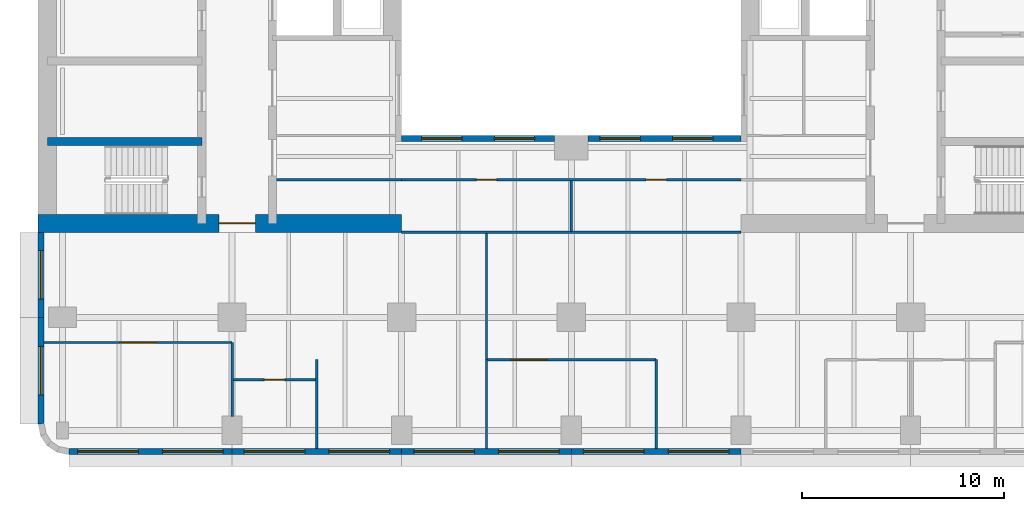
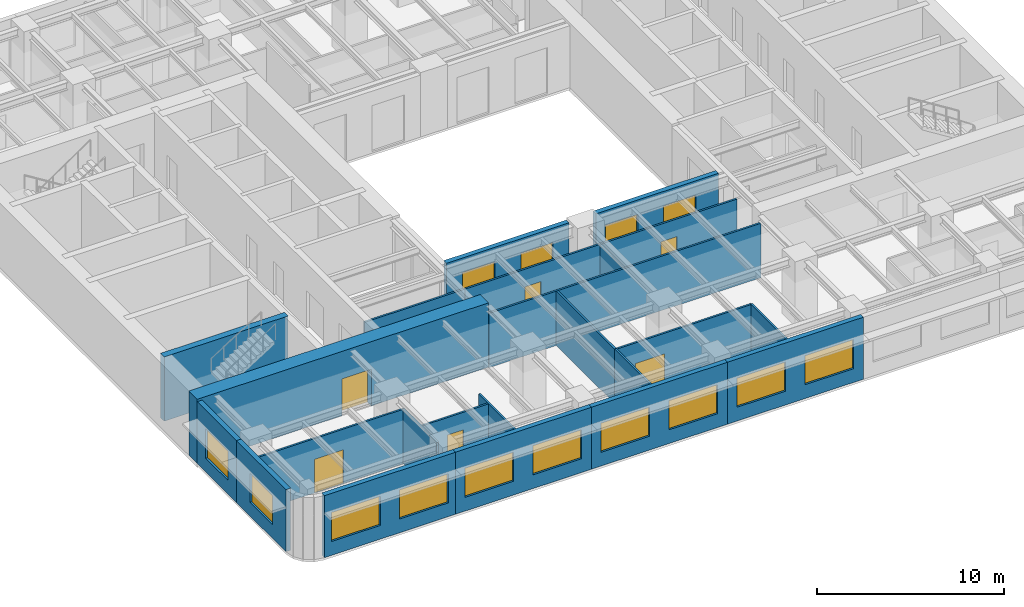
# One storey, part 3 of 11: 22 walls, 14 windows, 6 doors, 20 openings.
"""IFC4 building model written with IfcOpenShell, lengths in metres."""

from ifc_helpers import new_model, si_unit, direction, frame, frame_2d, origin, place, context, subcontext, project, spatial, rectangle, extrude, material, layer, layer_set, type_object, element, fill, save


model = new_model("IFC4")

# Units and contexts
model_context = context("Model", 3, precision=1e-05, world=origin(), true_north=direction((0.0, 1.0)))
body_context = subcontext(model_context, "Body", "Model", "MODEL_VIEW")
ifc_project = project(units=[si_unit("LENGTHUNIT", "METRE"), si_unit("AREAUNIT", "SQUARE_METRE"), si_unit("VOLUMEUNIT", "CUBIC_METRE"), si_unit("PLANEANGLEUNIT", "RADIAN"), si_unit("MASSUNIT", "GRAM", prefix="KILO")], contexts=[model_context])

# Site, building, storey
site_placement = place(None, origin())
site = spatial("IfcSite", under=ifc_project, at=site_placement, CompositionType="ELEMENT")
building_placement = place(site_placement, origin())
building = spatial("IfcBuilding", under=site, at=building_placement, Name="Claustro Exchange Tower", CompositionType="ELEMENT")
storey_placement = place(building_placement, frame((0.0, 0.0, 151.199951171875)))
storey = spatial("IfcBuildingStorey", under=building, at=storey_placement, Name="L34", CompositionType="ELEMENT", Elevation=151.199951171875)

# Wall, opening, door
ifc_material_1 = material(Name="Laminated glass in aluminium frame", Category="aluminium")
ifc_layer_1 = layer(ifc_material_1, 0.1201171875)
ifc_layer_set_1 = layer_set([ifc_layer_1], Name="Laminated glass in aluminium frame")
wall_type_1 = type_object("IfcWallType", Name="P2 120 glazed partition", PredefinedType="PARTITIONING", material=ifc_layer_set_1)
wall_1_placement = place(storey_placement, frame((-0.902099609375, 7.14990234375, 0.0), z_axis=(0.0, 0.0, 1.0), x_axis=(1.0, 0.0, 0.0)))
wall_1 = element("IfcWall", 1, at=wall_1_placement, inside=storey, type_object=wall_type_1, Name="Partition P2 L34", PredefinedType="PARTITIONING", context=body_context, shape_type="SweptSolid", body=[
    extrude(rectangle(XDim=9.302001953125, YDim=0.1201171875, at=frame_2d((4.65087890625, 0.0))), origin(), (0.0, 0.0, 1.0), 3.550048828125),
])
opening_1_placement = place(wall_1_placement, frame((3.751953125, 0.0, 0.0)))
opening_1 = element("IfcOpeningElement", 2, at=opening_1_placement, cuts=wall_1, Name="Opening D2", PredefinedType="OPENING", context=body_context, shape_type="SweptSolid", body=[
    extrude(rectangle(XDim=1.800048828125, YDim=2.199951171875, at=frame_2d((0.89990234375, 1.10009765625))), frame((0.0, 0.070068359375, 0.0), z_axis=(0.0, -1.0, 0.0), x_axis=(1.0, 0.0, 0.0)), (0.0, 0.0, 1.0), 0.14013671875),
])
ifc_material_2 = material(Name="Timber door, oak veneer", Category="wood")
door_type_1 = type_object("IfcDoorType", Name="D2 1800 x 2200 double door", OperationType="DOUBLE_DOOR_SINGLE_SWING", PredefinedType="DOOR", material=ifc_material_2)
door_1_placement = place(opening_1_placement, frame((1.800048828125, 0.0, 0.0), z_axis=(0.0, 0.0, 1.0), x_axis=(-1.0, 0.0, 0.0)))
door_1 = element("IfcDoor", 3, at=door_1_placement, inside=storey, type_object=door_type_1, Name="Double door D2 L34", OperationType="DOUBLE_DOOR_SINGLE_SWING", OverallHeight=2.199951171875, OverallWidth=1.800048828125, PredefinedType="DOOR", context=body_context, shape_type="SweptSolid", body=[
    extrude(rectangle(XDim=1.800048828125, YDim=2.199951171875, at=frame_2d((0.89990234375, 1.10009765625))), frame((0.0, 0.02490234375, 0.0), z_axis=(0.0, -1.0, 0.0), x_axis=(1.0, 0.0, 0.0)), (0.0, 0.0, 1.0), 0.050048828125),
])
fill(opening_1, door_1)

wall_2_placement = place(storey_placement, frame((8.4580078125, 5.300048828125, 0.0), z_axis=(0.0, 0.0, 1.0), x_axis=(1.0, 0.0, 0.0)))
wall_2 = element("IfcWall", 4, at=wall_2_placement, inside=storey, type_object=wall_type_1, Name="Partition P2 L34", PredefinedType="PARTITIONING", context=body_context, shape_type="SweptSolid", body=[
    extrude(rectangle(XDim=4.083984375, YDim=0.1201171875, at=frame_2d((2.0419921875, 0.0))), origin(), (0.0, 0.0, 1.0), 3.550048828125),
])
opening_2_placement = place(wall_2_placement, frame((1.5419921875, 0.0, 0.0)))
opening_2 = element("IfcOpeningElement", 5, at=opening_2_placement, cuts=wall_2, Name="Opening D7", PredefinedType="OPENING", context=body_context, shape_type="SweptSolid", body=[
    extrude(rectangle(XDim=1.0, YDim=2.39990234375, at=frame_2d((0.5, 1.199951171875))), frame((0.0, 0.070068359375, 0.0), z_axis=(0.0, -1.0, 0.0), x_axis=(1.0, 0.0, 0.0)), (0.0, 0.0, 1.0), 0.14013671875),
])
ifc_material_3 = material(Name="Glass door in aluminium frame", Category="aluminium")
door_type_2 = type_object("IfcDoorType", Name="D7 1000 x 2400 glazed door", OperationType="SINGLE_SWING_LEFT", PredefinedType="DOOR", material=ifc_material_3)
door_2_placement = place(opening_2_placement, frame((1.0, 0.0, 0.0), z_axis=(0.0, 0.0, 1.0), x_axis=(-1.0, 0.0, 0.0)))
door_2 = element("IfcDoor", 6, at=door_2_placement, inside=storey, type_object=door_type_2, Name="Door D7 L34", OperationType="SINGLE_SWING_LEFT", OverallHeight=2.39990234375, OverallWidth=1.0, PredefinedType="DOOR", context=body_context, shape_type="SweptSolid", body=[
    extrude(rectangle(XDim=1.0, YDim=2.39990234375, at=frame_2d((0.5, 1.199951171875))), frame((0.0, 0.02490234375, 0.0), z_axis=(0.0, -1.0, 0.0), x_axis=(1.0, 0.0, 0.0)), (0.0, 0.0, 1.0), 0.050048828125),
])
fill(opening_2, door_2)

# Walls
wall_3_placement = place(storey_placement, frame((8.39990234375, 3.4990234375, 0.0), z_axis=(0.0, 0.0, 1.0), x_axis=(0.0, 1.0, 0.0)))
element("IfcWall", 7, at=wall_3_placement, inside=storey, type_object=wall_type_1, Name="Partition P2 L34", PredefinedType="PARTITIONING", context=body_context, shape_type="SweptSolid", body=[
    extrude(rectangle(XDim=3.65087890625, YDim=0.1201171875, at=frame_2d((1.825439453125, 0.0))), origin(), (0.0, 0.0, 1.0), 3.550048828125),
])
wall_4_placement = place(storey_placement, frame((12.60009765625, 1.89794921875, 0.0), z_axis=(0.0, 0.0, 1.0), x_axis=(0.0, 1.0, 0.0)))
element("IfcWall", 8, at=wall_4_placement, inside=storey, type_object=wall_type_1, Name="Partition P2 L34", PredefinedType="PARTITIONING", context=body_context, shape_type="SweptSolid", body=[
    extrude(rectangle(XDim=4.402099609375, YDim=0.1201171875, at=frame_2d((2.201171875, 0.0))), origin(), (0.0, 0.0, 1.0), 3.56005859375),
])

# Wall, opening, door
wall_5_placement = place(storey_placement, frame((21.05810546875, 6.300048828125, 0.0), z_axis=(0.0, 0.0, 1.0), x_axis=(1.0, 0.0, 0.0)))
wall_5 = element("IfcWall", 9, at=wall_5_placement, inside=storey, type_object=wall_type_1, Name="Partition P2 L34", PredefinedType="PARTITIONING", context=body_context, shape_type="SweptSolid", body=[
    extrude(rectangle(XDim=8.341796875, YDim=0.1201171875, at=frame_2d((4.1708984375, 0.0))), origin(), (0.0, 0.0, 1.0), 3.550048828125),
])
opening_3_placement = place(wall_5_placement, frame((1.14208984375, 0.0, 0.0)))
opening_3 = element("IfcOpeningElement", 10, at=opening_3_placement, cuts=wall_5, Name="Opening D2", PredefinedType="OPENING", context=body_context, shape_type="SweptSolid", body=[
    extrude(rectangle(XDim=1.800048828125, YDim=2.199951171875, at=frame_2d((0.89990234375, 1.10009765625))), frame((0.0, 0.070068359375, 0.0), z_axis=(0.0, -1.0, 0.0), x_axis=(1.0, 0.0, 0.0)), (0.0, 0.0, 1.0), 0.14013671875),
])
door_3_placement = place(opening_3_placement, frame((1.800048828125, 0.0, 0.0), z_axis=(0.0, 0.0, 1.0), x_axis=(-1.0, 0.0, 0.0)))
door_3 = element("IfcDoor", 11, at=door_3_placement, inside=storey, type_object=door_type_1, Name="Double door D2 L34", OperationType="DOUBLE_DOOR_SINGLE_SWING", OverallHeight=2.199951171875, OverallWidth=1.800048828125, PredefinedType="DOOR", context=body_context, shape_type="SweptSolid", body=[
    extrude(rectangle(XDim=1.800048828125, YDim=2.199951171875, at=frame_2d((0.89990234375, 1.10009765625))), frame((0.0, 0.02490234375, 0.0), z_axis=(0.0, -1.0, 0.0), x_axis=(1.0, 0.0, 0.0)), (0.0, 0.0, 1.0), 0.050048828125),
])
fill(opening_3, door_3)

# Walls
wall_6_placement = place(storey_placement, frame((21.0, 1.89794921875, 0.0), z_axis=(0.0, 0.0, 1.0), x_axis=(0.0, 1.0, 0.0)))
element("IfcWall", 12, at=wall_6_placement, inside=storey, type_object=wall_type_1, Name="Partition P2 L34", PredefinedType="PARTITIONING", context=body_context, shape_type="SweptSolid", body=[
    extrude(rectangle(XDim=4.404052734375, YDim=0.1201171875, at=frame_2d((2.2021484375, 0.0))), origin(), (0.0, 0.0, 1.0), 3.56005859375),
])
wall_7_placement = place(storey_placement, frame((29.39990234375, 1.89794921875, 0.0), z_axis=(0.0, 0.0, 1.0), x_axis=(0.0, 1.0, 0.0)))
element("IfcWall", 13, at=wall_7_placement, inside=storey, type_object=wall_type_1, Name="Partition P2 L34", PredefinedType="PARTITIONING", context=body_context, shape_type="SweptSolid", body=[
    extrude(rectangle(XDim=4.402099609375, YDim=0.1201171875, at=frame_2d((2.201171875, 0.0))), origin(), (0.0, 0.0, 1.0), 3.56005859375),
])
wall_8_placement = place(storey_placement, frame((21.0, 6.298095703125, 0.0), z_axis=(0.0, 0.0, 1.0), x_axis=(0.0, 1.0, 0.0)))
element("IfcWall", 14, at=wall_8_placement, inside=storey, type_object=wall_type_1, Name="Partition P2 L34", PredefinedType="PARTITIONING", context=body_context, shape_type="SweptSolid", body=[
    extrude(rectangle(XDim=6.243896484375, YDim=0.1201171875, at=frame_2d((3.1220703125, 0.0))), origin(), (0.0, 0.0, 1.0), 3.550048828125),
])
wall_9_placement = place(storey_placement, frame((10.597900390625, 15.199951171875, 0.0), z_axis=(0.0, 0.0, 1.0), x_axis=(1.0, 0.0, 0.0)))
element("IfcWall", 15, at=wall_9_placement, inside=storey, type_object=wall_type_1, Name="Partition P2 L34", PredefinedType="PARTITIONING", context=body_context, shape_type="SweptSolid", body=[
    extrude(rectangle(XDim=6.2041015625, YDim=0.1201171875, at=frame_2d((3.10205078125, 0.0))), origin(), (0.0, 0.0, 1.0), 3.550048828125),
])
wall_10_placement = place(storey_placement, frame((25.199951171875, 12.657958984375, 0.0), z_axis=(0.0, 0.0, 1.0), x_axis=(0.0, 1.0, 0.0)))
element("IfcWall", 16, at=wall_10_placement, inside=storey, type_object=wall_type_1, Name="Partition P2 L34", PredefinedType="PARTITIONING", context=body_context, shape_type="SweptSolid", body=[
    extrude(rectangle(XDim=2.484130859375, YDim=0.1201171875, at=frame_2d((1.2421875, 0.0))), origin(), (0.0, 0.0, 1.0), 3.550048828125),
])

# Wall, openings, doors
wall_11_placement = place(storey_placement, frame((16.798095703125, 15.199951171875, 0.0), z_axis=(0.0, 0.0, 1.0), x_axis=(1.0, 0.0, 0.0)))
wall_11 = element("IfcWall", 17, at=wall_11_placement, inside=storey, type_object=wall_type_1, Name="Partition P2 L34", PredefinedType="PARTITIONING", context=body_context, shape_type="SweptSolid", body=[
    extrude(rectangle(XDim=16.803955078125, YDim=0.1201171875, at=frame_2d((8.40185546875, 0.0))), origin(), (0.0, 0.0, 1.0), 3.550048828125),
])
opening_4_placement = place(wall_11_placement, frame((3.701904296875, 0.0, 0.0)))
opening_4 = element("IfcOpeningElement", 18, at=opening_4_placement, cuts=wall_11, Name="Opening D7", PredefinedType="OPENING", context=body_context, shape_type="SweptSolid", body=[
    extrude(rectangle(XDim=1.0, YDim=2.39990234375, at=frame_2d((0.5, 1.199951171875))), frame((0.0, 0.070068359375, 0.0), z_axis=(0.0, -1.0, 0.0), x_axis=(1.0, 0.0, 0.0)), (0.0, 0.0, 1.0), 0.14013671875),
])
opening_5_placement = place(wall_11_placement, frame((12.10205078125, 0.0, 0.0)))
opening_5 = element("IfcOpeningElement", 19, at=opening_5_placement, cuts=wall_11, Name="Opening D7", PredefinedType="OPENING", context=body_context, shape_type="SweptSolid", body=[
    extrude(rectangle(XDim=1.0, YDim=2.39990234375, at=frame_2d((0.5, 1.199951171875))), frame((0.0, 0.070068359375, 0.0), z_axis=(0.0, -1.0, 0.0), x_axis=(1.0, 0.0, 0.0)), (0.0, 0.0, 1.0), 0.14013671875),
])
door_4_placement = place(opening_4_placement, frame((1.0, 0.0, 0.0), z_axis=(0.0, 0.0, 1.0), x_axis=(-1.0, 0.0, 0.0)))
door_4 = element("IfcDoor", 20, at=door_4_placement, inside=storey, type_object=door_type_2, Name="Door D7 L34", OperationType="SINGLE_SWING_RIGHT", OverallHeight=2.39990234375, OverallWidth=1.0, PredefinedType="DOOR", context=body_context, shape_type="SweptSolid", body=[
    extrude(rectangle(XDim=1.0, YDim=2.39990234375, at=frame_2d((0.5, 1.199951171875))), frame((0.0, 0.02490234375, 0.0), z_axis=(0.0, -1.0, 0.0), x_axis=(1.0, 0.0, 0.0)), (0.0, 0.0, 1.0), 0.050048828125),
])
fill(opening_4, door_4)
door_5_placement = place(opening_5_placement, frame((1.0, 0.0, 0.0), z_axis=(0.0, 0.0, 1.0), x_axis=(-1.0, 0.0, 0.0)))
door_5 = element("IfcDoor", 21, at=door_5_placement, inside=storey, type_object=door_type_2, Name="Door D7 L34", OperationType="SINGLE_SWING_RIGHT", OverallHeight=2.39990234375, OverallWidth=1.0, PredefinedType="DOOR", context=body_context, shape_type="SweptSolid", body=[
    extrude(rectangle(XDim=1.0, YDim=2.39990234375, at=frame_2d((0.5, 1.199951171875))), frame((0.0, 0.02490234375, 0.0), z_axis=(0.0, -1.0, 0.0), x_axis=(1.0, 0.0, 0.0)), (0.0, 0.0, 1.0), 0.050048828125),
])
fill(opening_5, door_5)

# Wall
wall_12_placement = place(storey_placement, frame((16.800048828125, 12.60009765625, 0.0), z_axis=(0.0, 0.0, 1.0), x_axis=(1.0, 0.0, 0.0)))
element("IfcWall", 22, at=wall_12_placement, inside=storey, type_object=wall_type_1, Name="Partition P2 L34", PredefinedType="PARTITIONING", context=body_context, shape_type="SweptSolid", body=[
    extrude(rectangle(XDim=16.800048828125, YDim=0.1201171875, at=frame_2d((8.39990234375, 0.0))), origin(), (0.0, 0.0, 1.0), 3.550048828125),
])

# Wall, openings, windows
ifc_material_4 = material(Name="Concrete HA-40 (C40/50), precast, white cement, acid-etched", Category="concrete")
ifc_layer_2 = layer(ifc_material_4, 0.300048828125)
ifc_layer_set_2 = layer_set([ifc_layer_2], Name="Concrete HA-40 (C40/50), precast, white cement, acid-etched")
wall_type_2 = type_object("IfcWallType", Name="PC1 300 precast concrete pier panel", PredefinedType="SOLIDWALL", material=ifc_layer_set_2)
wall_13_placement = place(storey_placement, frame((33.60009765625, 1.75, 0.0), z_axis=(0.0, 0.0, 1.0), x_axis=(-1.0, 0.0, 0.0)))
wall_13 = element("IfcWall", 23, at=wall_13_placement, inside=storey, type_object=wall_type_2, Name="Precast pier panel PC1 L34", PredefinedType="SOLIDWALL", context=body_context, shape_type="SweptSolid", body=[
    extrude(rectangle(XDim=8.400146484375, YDim=0.300048828125, at=frame_2d((4.2001953125, 0.0))), origin(), (0.0, 0.0, 1.0), 4.050048828125),
])
opening_6_placement = place(wall_13_placement, frame((0.60009765625, 0.0, 0.89990234375)))
opening_6 = element("IfcOpeningElement", 24, at=opening_6_placement, cuts=wall_13, Name="Opening W1", PredefinedType="OPENING", context=body_context, shape_type="SweptSolid", body=[
    extrude(rectangle(XDim=3.0, YDim=1.89990234375, at=frame_2d((1.5, 0.949951171875))), frame((0.0, 0.159912109375, 0.0), z_axis=(0.0, -1.0, 0.0), x_axis=(1.0, 0.0, 0.0)), (0.0, 0.0, 1.0), 0.320068359375),
])
opening_7_placement = place(wall_13_placement, frame((4.800048828125, 0.0, 0.89990234375)))
opening_7 = element("IfcOpeningElement", 25, at=opening_7_placement, cuts=wall_13, Name="Opening W1", PredefinedType="OPENING", context=body_context, shape_type="SweptSolid", body=[
    extrude(rectangle(XDim=3.0, YDim=1.89990234375, at=frame_2d((1.5, 0.949951171875))), frame((0.0, 0.159912109375, 0.0), z_axis=(0.0, -1.0, 0.0), x_axis=(1.0, 0.0, 0.0)), (0.0, 0.0, 1.0), 0.320068359375),
])
ifc_material_5 = material(Name="Aluminium frame, clear double glazing", Category="aluminium")
window_type_1 = type_object("IfcWindowType", Name="W1 3000 x 1900 window", PartitioningType="SINGLE_PANEL", PredefinedType="WINDOW", material=ifc_material_5)
window_1_placement = place(opening_6_placement, origin())
window_1 = element("IfcWindow", 26, at=window_1_placement, inside=storey, type_object=window_type_1, Name="Window W1 L34", OverallHeight=1.89990234375, OverallWidth=3.0, PartitioningType="SINGLE_PANEL", PredefinedType="WINDOW", context=body_context, shape_type="SweptSolid", body=[
    extrude(rectangle(XDim=3.0, YDim=1.89990234375, at=frame_2d((1.5, 0.949951171875))), frame((0.0, 0.030029296875, 0.0), z_axis=(0.0, -1.0, 0.0), x_axis=(1.0, 0.0, 0.0)), (0.0, 0.0, 1.0), 0.06005859375),
])
fill(opening_6, window_1)
window_2_placement = place(opening_7_placement, origin())
window_2 = element("IfcWindow", 27, at=window_2_placement, inside=storey, type_object=window_type_1, Name="Window W1 L34", OverallHeight=1.89990234375, OverallWidth=3.0, PartitioningType="SINGLE_PANEL", PredefinedType="WINDOW", context=body_context, shape_type="SweptSolid", body=[
    extrude(rectangle(XDim=3.0, YDim=1.89990234375, at=frame_2d((1.5, 0.949951171875))), frame((0.0, 0.030029296875, 0.0), z_axis=(0.0, -1.0, 0.0), x_axis=(1.0, 0.0, 0.0)), (0.0, 0.0, 1.0), 0.06005859375),
])
fill(opening_7, window_2)

wall_14_placement = place(storey_placement, frame((25.199951171875, 1.75, 0.0), z_axis=(0.0, 0.0, 1.0), x_axis=(-1.0, 0.0, 0.0)))
wall_14 = element("IfcWall", 28, at=wall_14_placement, inside=storey, type_object=wall_type_2, Name="Precast pier panel PC1 L34", PredefinedType="SOLIDWALL", context=body_context, shape_type="SweptSolid", body=[
    extrude(rectangle(XDim=8.39990234375, YDim=0.300048828125, at=frame_2d((4.199951171875, 0.0))), origin(), (0.0, 0.0, 1.0), 4.050048828125),
])
opening_8_placement = place(wall_14_placement, frame((0.60009765625, 0.0, 0.89990234375)))
opening_8 = element("IfcOpeningElement", 29, at=opening_8_placement, cuts=wall_14, Name="Opening W1", PredefinedType="OPENING", context=body_context, shape_type="SweptSolid", body=[
    extrude(rectangle(XDim=3.0, YDim=1.89990234375, at=frame_2d((1.5, 0.949951171875))), frame((0.0, 0.159912109375, 0.0), z_axis=(0.0, -1.0, 0.0), x_axis=(1.0, 0.0, 0.0)), (0.0, 0.0, 1.0), 0.320068359375),
])
opening_9_placement = place(wall_14_placement, frame((4.800048828125, 0.0, 0.89990234375)))
opening_9 = element("IfcOpeningElement", 30, at=opening_9_placement, cuts=wall_14, Name="Opening W1", PredefinedType="OPENING", context=body_context, shape_type="SweptSolid", body=[
    extrude(rectangle(XDim=3.0, YDim=1.89990234375, at=frame_2d((1.5, 0.949951171875))), frame((0.0, 0.159912109375, 0.0), z_axis=(0.0, -1.0, 0.0), x_axis=(1.0, 0.0, 0.0)), (0.0, 0.0, 1.0), 0.320068359375),
])
window_3_placement = place(opening_8_placement, origin())
window_3 = element("IfcWindow", 31, at=window_3_placement, inside=storey, type_object=window_type_1, Name="Window W1 L34", OverallHeight=1.89990234375, OverallWidth=3.0, PartitioningType="SINGLE_PANEL", PredefinedType="WINDOW", context=body_context, shape_type="SweptSolid", body=[
    extrude(rectangle(XDim=3.0, YDim=1.89990234375, at=frame_2d((1.5, 0.949951171875))), frame((0.0, 0.030029296875, 0.0), z_axis=(0.0, -1.0, 0.0), x_axis=(1.0, 0.0, 0.0)), (0.0, 0.0, 1.0), 0.06005859375),
])
fill(opening_8, window_3)
window_4_placement = place(opening_9_placement, origin())
window_4 = element("IfcWindow", 32, at=window_4_placement, inside=storey, type_object=window_type_1, Name="Window W1 L34", OverallHeight=1.89990234375, OverallWidth=3.0, PartitioningType="SINGLE_PANEL", PredefinedType="WINDOW", context=body_context, shape_type="SweptSolid", body=[
    extrude(rectangle(XDim=3.0, YDim=1.89990234375, at=frame_2d((1.5, 0.949951171875))), frame((0.0, 0.030029296875, 0.0), z_axis=(0.0, -1.0, 0.0), x_axis=(1.0, 0.0, 0.0)), (0.0, 0.0, 1.0), 0.06005859375),
])
fill(opening_9, window_4)

wall_15_placement = place(storey_placement, frame((16.800048828125, 1.75, 0.0), z_axis=(0.0, 0.0, 1.0), x_axis=(-1.0, 0.0, 0.0)))
wall_15 = element("IfcWall", 33, at=wall_15_placement, inside=storey, type_object=wall_type_2, Name="Precast pier panel PC1 L34", PredefinedType="SOLIDWALL", context=body_context, shape_type="SweptSolid", body=[
    extrude(rectangle(XDim=8.400146484375, YDim=0.300048828125, at=frame_2d((4.2001953125, 0.0))), origin(), (0.0, 0.0, 1.0), 4.050048828125),
])
opening_10_placement = place(wall_15_placement, frame((0.60009765625, 0.0, 0.89990234375)))
opening_10 = element("IfcOpeningElement", 34, at=opening_10_placement, cuts=wall_15, Name="Opening W1", PredefinedType="OPENING", context=body_context, shape_type="SweptSolid", body=[
    extrude(rectangle(XDim=3.0, YDim=1.89990234375, at=frame_2d((1.5, 0.949951171875))), frame((0.0, 0.159912109375, 0.0), z_axis=(0.0, -1.0, 0.0), x_axis=(1.0, 0.0, 0.0)), (0.0, 0.0, 1.0), 0.320068359375),
])
opening_11_placement = place(wall_15_placement, frame((4.800048828125, 0.0, 0.89990234375)))
opening_11 = element("IfcOpeningElement", 35, at=opening_11_placement, cuts=wall_15, Name="Opening W1", PredefinedType="OPENING", context=body_context, shape_type="SweptSolid", body=[
    extrude(rectangle(XDim=3.0, YDim=1.89990234375, at=frame_2d((1.5, 0.949951171875))), frame((0.0, 0.159912109375, 0.0), z_axis=(0.0, -1.0, 0.0), x_axis=(1.0, 0.0, 0.0)), (0.0, 0.0, 1.0), 0.320068359375),
])
window_5_placement = place(opening_10_placement, origin())
window_5 = element("IfcWindow", 36, at=window_5_placement, inside=storey, type_object=window_type_1, Name="Window W1 L34", OverallHeight=1.89990234375, OverallWidth=3.0, PartitioningType="SINGLE_PANEL", PredefinedType="WINDOW", context=body_context, shape_type="SweptSolid", body=[
    extrude(rectangle(XDim=3.0, YDim=1.89990234375, at=frame_2d((1.5, 0.949951171875))), frame((0.0, 0.030029296875, 0.0), z_axis=(0.0, -1.0, 0.0), x_axis=(1.0, 0.0, 0.0)), (0.0, 0.0, 1.0), 0.06005859375),
])
fill(opening_10, window_5)
window_6_placement = place(opening_11_placement, origin())
window_6 = element("IfcWindow", 37, at=window_6_placement, inside=storey, type_object=window_type_1, Name="Window W1 L34", OverallHeight=1.89990234375, OverallWidth=3.0, PartitioningType="SINGLE_PANEL", PredefinedType="WINDOW", context=body_context, shape_type="SweptSolid", body=[
    extrude(rectangle(XDim=3.0, YDim=1.89990234375, at=frame_2d((1.5, 0.949951171875))), frame((0.0, 0.030029296875, 0.0), z_axis=(0.0, -1.0, 0.0), x_axis=(1.0, 0.0, 0.0)), (0.0, 0.0, 1.0), 0.06005859375),
])
fill(opening_11, window_6)

wall_16_placement = place(storey_placement, frame((8.39990234375, 1.75, 0.0), z_axis=(0.0, 0.0, 1.0), x_axis=(-1.0, 0.0, 0.0)))
wall_16 = element("IfcWall", 38, at=wall_16_placement, inside=storey, type_object=wall_type_2, Name="Precast pier panel PC1 L34", PredefinedType="SOLIDWALL", context=body_context, shape_type="SweptSolid", body=[
    extrude(rectangle(XDim=8.085205078125, YDim=0.300048828125, at=frame_2d((4.04248046875, 0.0))), origin(), (0.0, 0.0, 1.0), 4.050048828125),
])
opening_12_placement = place(wall_16_placement, frame((0.442626953125, 0.0, 0.89990234375)))
opening_12 = element("IfcOpeningElement", 39, at=opening_12_placement, cuts=wall_16, Name="Opening W1", PredefinedType="OPENING", context=body_context, shape_type="SweptSolid", body=[
    extrude(rectangle(XDim=3.0, YDim=1.89990234375, at=frame_2d((1.5, 0.949951171875))), frame((0.0, 0.159912109375, 0.0), z_axis=(0.0, -1.0, 0.0), x_axis=(1.0, 0.0, 0.0)), (0.0, 0.0, 1.0), 0.320068359375),
])
opening_13_placement = place(wall_16_placement, frame((4.642578125, 0.0, 0.89990234375)))
opening_13 = element("IfcOpeningElement", 40, at=opening_13_placement, cuts=wall_16, Name="Opening W1", PredefinedType="OPENING", context=body_context, shape_type="SweptSolid", body=[
    extrude(rectangle(XDim=3.0, YDim=1.89990234375, at=frame_2d((1.5, 0.949951171875))), frame((0.0, 0.159912109375, 0.0), z_axis=(0.0, -1.0, 0.0), x_axis=(1.0, 0.0, 0.0)), (0.0, 0.0, 1.0), 0.320068359375),
])
window_7_placement = place(opening_12_placement, origin())
window_7 = element("IfcWindow", 41, at=window_7_placement, inside=storey, type_object=window_type_1, Name="Window W1 L34", OverallHeight=1.89990234375, OverallWidth=3.0, PartitioningType="SINGLE_PANEL", PredefinedType="WINDOW", context=body_context, shape_type="SweptSolid", body=[
    extrude(rectangle(XDim=3.0, YDim=1.89990234375, at=frame_2d((1.5, 0.949951171875))), frame((0.0, 0.030029296875, 0.0), z_axis=(0.0, -1.0, 0.0), x_axis=(1.0, 0.0, 0.0)), (0.0, 0.0, 1.0), 0.06005859375),
])
fill(opening_12, window_7)
window_8_placement = place(opening_13_placement, origin())
window_8 = element("IfcWindow", 42, at=window_8_placement, inside=storey, type_object=window_type_1, Name="Window W1 L34", OverallHeight=1.89990234375, OverallWidth=3.0, PartitioningType="SINGLE_PANEL", PredefinedType="WINDOW", context=body_context, shape_type="SweptSolid", body=[
    extrude(rectangle(XDim=3.0, YDim=1.89990234375, at=frame_2d((1.5, 0.949951171875))), frame((0.0, 0.030029296875, 0.0), z_axis=(0.0, -1.0, 0.0), x_axis=(1.0, 0.0, 0.0)), (0.0, 0.0, 1.0), 0.06005859375),
])
fill(opening_13, window_8)

# Wall, opening, window
wall_17_placement = place(storey_placement, frame((-1.050048828125, 3.11474609375, 0.0), z_axis=(0.0, 0.0, 1.0), x_axis=(0.0, 1.0, 0.0)))
wall_17 = element("IfcWall", 43, at=wall_17_placement, inside=storey, type_object=wall_type_2, Name="Precast pier panel PC1 L34", PredefinedType="SOLIDWALL", context=body_context, shape_type="SweptSolid", body=[
    extrude(rectangle(XDim=5.28515625, YDim=0.300048828125, at=frame_2d((2.642578125, 0.0))), origin(), (0.0, 0.0, 1.0), 4.050048828125),
])
opening_14_placement = place(wall_17_placement, frame((1.442626953125, 0.0, 0.89990234375)))
opening_14 = element("IfcOpeningElement", 44, at=opening_14_placement, cuts=wall_17, Name="Opening W2", PredefinedType="OPENING", context=body_context, shape_type="SweptSolid", body=[
    extrude(rectangle(XDim=2.39990234375, YDim=1.89990234375, at=frame_2d((1.199951171875, 0.949951171875))), frame((0.0, 0.159912109375, 0.0), z_axis=(0.0, -1.0, 0.0), x_axis=(1.0, 0.0, 0.0)), (0.0, 0.0, 1.0), 0.320068359375),
])
ifc_material_6 = material(Name="Aluminium frame, clear double glazing", Category="aluminium")
window_type_2 = type_object("IfcWindowType", Name="W2 2400 x 1900 window", PartitioningType="SINGLE_PANEL", PredefinedType="WINDOW", material=ifc_material_6)
window_9_placement = place(opening_14_placement, origin())
window_9 = element("IfcWindow", 45, at=window_9_placement, inside=storey, type_object=window_type_2, Name="Window W2 L34", OverallHeight=1.89990234375, OverallWidth=2.39990234375, PartitioningType="SINGLE_PANEL", PredefinedType="WINDOW", context=body_context, shape_type="SweptSolid", body=[
    extrude(rectangle(XDim=2.39990234375, YDim=1.89990234375, at=frame_2d((1.199951171875, 0.949951171875))), frame((0.0, 0.030029296875, 0.0), z_axis=(0.0, -1.0, 0.0), x_axis=(1.0, 0.0, 0.0)), (0.0, 0.0, 1.0), 0.06005859375),
])
fill(opening_14, window_9)

wall_18_placement = place(storey_placement, frame((-1.050048828125, 8.39990234375, 0.0), z_axis=(0.0, 0.0, 1.0), x_axis=(0.0, 1.0, 0.0)))
wall_18 = element("IfcWall", 46, at=wall_18_placement, inside=storey, type_object=wall_type_2, Name="Precast pier panel PC1 L34", PredefinedType="SOLIDWALL", context=body_context, shape_type="SweptSolid", body=[
    extrude(rectangle(XDim=4.2001953125, YDim=0.300048828125, at=frame_2d((2.10009765625, 0.0))), origin(), (0.0, 0.0, 1.0), 4.050048828125),
])
opening_15_placement = place(wall_18_placement, frame((0.89990234375, 0.0, 0.89990234375)))
opening_15 = element("IfcOpeningElement", 47, at=opening_15_placement, cuts=wall_18, Name="Opening W2", PredefinedType="OPENING", context=body_context, shape_type="SweptSolid", body=[
    extrude(rectangle(XDim=2.39990234375, YDim=1.89990234375, at=frame_2d((1.199951171875, 0.949951171875))), frame((0.0, 0.159912109375, 0.0), z_axis=(0.0, -1.0, 0.0), x_axis=(1.0, 0.0, 0.0)), (0.0, 0.0, 1.0), 0.320068359375),
])
window_10_placement = place(opening_15_placement, origin())
window_10 = element("IfcWindow", 48, at=window_10_placement, inside=storey, type_object=window_type_2, Name="Window W2 L34", OverallHeight=1.89990234375, OverallWidth=2.39990234375, PartitioningType="SINGLE_PANEL", PredefinedType="WINDOW", context=body_context, shape_type="SweptSolid", body=[
    extrude(rectangle(XDim=2.39990234375, YDim=1.89990234375, at=frame_2d((1.199951171875, 0.949951171875))), frame((0.0, 0.030029296875, 0.0), z_axis=(0.0, -1.0, 0.0), x_axis=(1.0, 0.0, 0.0)), (0.0, 0.0, 1.0), 0.06005859375),
])
fill(opening_15, window_10)

# Wall, openings, windows
wall_19_placement = place(storey_placement, frame((16.800048828125, 17.25, 0.0), z_axis=(0.0, 0.0, 1.0), x_axis=(1.0, 0.0, 0.0)))
wall_19 = element("IfcWall", 49, at=wall_19_placement, inside=storey, type_object=wall_type_2, Name="Precast pier panel PC1 L34", PredefinedType="SOLIDWALL", context=body_context, shape_type="SweptSolid", body=[
    extrude(rectangle(XDim=7.574951171875, YDim=0.300048828125, at=frame_2d((3.78759765625, 0.0))), origin(), (0.0, 0.0, 1.0), 4.050048828125),
])
opening_16_placement = place(wall_19_placement, frame((0.987548828125, 0.0, 0.10009765625)))
opening_16 = element("IfcOpeningElement", 50, at=opening_16_placement, cuts=wall_19, Name="Opening W-A", PredefinedType="OPENING", context=body_context, shape_type="SweptSolid", body=[
    extrude(rectangle(XDim=2.0, YDim=3.0, at=frame_2d((1.0, 1.5))), frame((0.0, 0.159912109375, 0.0), z_axis=(0.0, -1.0, 0.0), x_axis=(1.0, 0.0, 0.0)), (0.0, 0.0, 1.0), 0.320068359375),
])
opening_17_placement = place(wall_19_placement, frame((4.58740234375, 0.0, 0.10009765625)))
opening_17 = element("IfcOpeningElement", 51, at=opening_17_placement, cuts=wall_19, Name="Opening W-A", PredefinedType="OPENING", context=body_context, shape_type="SweptSolid", body=[
    extrude(rectangle(XDim=2.0, YDim=3.0, at=frame_2d((1.0, 1.5))), frame((0.0, 0.159912109375, 0.0), z_axis=(0.0, -1.0, 0.0), x_axis=(1.0, 0.0, 0.0)), (0.0, 0.0, 1.0), 0.320068359375),
])
ifc_material_7 = material(Name="Aluminium frame, clear double glazing", Category="aluminium")
window_type_3 = type_object("IfcWindowType", Name="W-A 2000 x 3000 arcade window", PartitioningType="SINGLE_PANEL", PredefinedType="WINDOW", material=ifc_material_7)
window_11_placement = place(opening_16_placement, origin())
window_11 = element("IfcWindow", 52, at=window_11_placement, inside=storey, type_object=window_type_3, Name="Window W-A L34", OverallHeight=3.0, OverallWidth=2.0, PartitioningType="SINGLE_PANEL", PredefinedType="WINDOW", context=body_context, shape_type="SweptSolid", body=[
    extrude(rectangle(XDim=2.0, YDim=3.0, at=frame_2d((1.0, 1.5))), frame((0.0, 0.030029296875, 0.0), z_axis=(0.0, -1.0, 0.0), x_axis=(1.0, 0.0, 0.0)), (0.0, 0.0, 1.0), 0.06005859375),
])
fill(opening_16, window_11)
window_12_placement = place(opening_17_placement, origin())
window_12 = element("IfcWindow", 53, at=window_12_placement, inside=storey, type_object=window_type_3, Name="Window W-A L34", OverallHeight=3.0, OverallWidth=2.0, PartitioningType="SINGLE_PANEL", PredefinedType="WINDOW", context=body_context, shape_type="SweptSolid", body=[
    extrude(rectangle(XDim=2.0, YDim=3.0, at=frame_2d((1.0, 1.5))), frame((0.0, 0.030029296875, 0.0), z_axis=(0.0, -1.0, 0.0), x_axis=(1.0, 0.0, 0.0)), (0.0, 0.0, 1.0), 0.06005859375),
])
fill(opening_17, window_12)

wall_20_placement = place(storey_placement, frame((26.02490234375, 17.25, 0.0), z_axis=(0.0, 0.0, 1.0), x_axis=(1.0, 0.0, 0.0)))
wall_20 = element("IfcWall", 54, at=wall_20_placement, inside=storey, type_object=wall_type_2, Name="Precast pier panel PC1 L34", PredefinedType="SOLIDWALL", context=body_context, shape_type="SweptSolid", body=[
    extrude(rectangle(XDim=7.5751953125, YDim=0.300048828125, at=frame_2d((3.78759765625, 0.0))), origin(), (0.0, 0.0, 1.0), 4.050048828125),
])
opening_18_placement = place(wall_20_placement, frame((0.58740234375, 0.0, 0.10009765625)))
opening_18 = element("IfcOpeningElement", 55, at=opening_18_placement, cuts=wall_20, Name="Opening W-A", PredefinedType="OPENING", context=body_context, shape_type="SweptSolid", body=[
    extrude(rectangle(XDim=2.0, YDim=3.0, at=frame_2d((1.0, 1.5))), frame((0.0, 0.159912109375, 0.0), z_axis=(0.0, -1.0, 0.0), x_axis=(1.0, 0.0, 0.0)), (0.0, 0.0, 1.0), 0.320068359375),
])
opening_19_placement = place(wall_20_placement, frame((4.1875, 0.0, 0.10009765625)))
opening_19 = element("IfcOpeningElement", 56, at=opening_19_placement, cuts=wall_20, Name="Opening W-A", PredefinedType="OPENING", context=body_context, shape_type="SweptSolid", body=[
    extrude(rectangle(XDim=2.0, YDim=3.0, at=frame_2d((1.0, 1.5))), frame((0.0, 0.159912109375, 0.0), z_axis=(0.0, -1.0, 0.0), x_axis=(1.0, 0.0, 0.0)), (0.0, 0.0, 1.0), 0.320068359375),
])
window_13_placement = place(opening_18_placement, origin())
window_13 = element("IfcWindow", 57, at=window_13_placement, inside=storey, type_object=window_type_3, Name="Window W-A L34", OverallHeight=3.0, OverallWidth=2.0, PartitioningType="SINGLE_PANEL", PredefinedType="WINDOW", context=body_context, shape_type="SweptSolid", body=[
    extrude(rectangle(XDim=2.0, YDim=3.0, at=frame_2d((1.0, 1.5))), frame((0.0, 0.030029296875, 0.0), z_axis=(0.0, -1.0, 0.0), x_axis=(1.0, 0.0, 0.0)), (0.0, 0.0, 1.0), 0.06005859375),
])
fill(opening_18, window_13)
window_14_placement = place(opening_19_placement, origin())
window_14 = element("IfcWindow", 58, at=window_14_placement, inside=storey, type_object=window_type_3, Name="Window W-A L34", OverallHeight=3.0, OverallWidth=2.0, PartitioningType="SINGLE_PANEL", PredefinedType="WINDOW", context=body_context, shape_type="SweptSolid", body=[
    extrude(rectangle(XDim=2.0, YDim=3.0, at=frame_2d((1.0, 1.5))), frame((0.0, 0.030029296875, 0.0), z_axis=(0.0, -1.0, 0.0), x_axis=(1.0, 0.0, 0.0)), (0.0, 0.0, 1.0), 0.06005859375),
])
fill(opening_19, window_14)

# Wall, opening, door
ifc_material_8 = material(Name="Concrete HA-70 (C70/85)", Category="concrete")
ifc_layer_3 = layer(ifc_material_8, 0.89990234375)
ifc_layer_set_3 = layer_set([ifc_layer_3], Name="Concrete HA-70 (C70/85)")
wall_type_3 = type_object("IfcWallType", Name="SW1 900 core shear wall", PredefinedType="SHEAR", material=ifc_layer_set_3)
wall_21_placement = place(storey_placement, frame((-1.199951171875, 13.050048828125, 0.0), z_axis=(0.0, 0.0, 1.0), x_axis=(1.0, 0.0, 0.0)))
wall_21 = element("IfcWall", 59, at=wall_21_placement, inside=storey, type_object=wall_type_3, Name="Core wall SW1 W core S face L34", PredefinedType="SHEAR", context=body_context, shape_type="SweptSolid", body=[
    extrude(rectangle(XDim=18.0, YDim=0.89990234375, at=frame_2d((9.0, 0.0))), origin(), (0.0, 0.0, 1.0), 4.199951171875),
])
opening_20_placement = place(wall_21_placement, frame((8.949951171875, 0.0, 0.0)))
opening_20 = element("IfcOpeningElement", 60, at=opening_20_placement, cuts=wall_21, Name="Opening D3", PredefinedType="OPENING", context=body_context, shape_type="SweptSolid", body=[
    extrude(rectangle(XDim=1.800048828125, YDim=2.39990234375, at=frame_2d((0.89990234375, 1.199951171875))), frame((0.0, 0.4599609375, 0.0), z_axis=(0.0, -1.0, 0.0), x_axis=(1.0, 0.0, 0.0)), (0.0, 0.0, 1.0), 0.919921875),
])
ifc_material_9 = material(Name="Steel fire door, painted", Category="steel")
door_type_3 = type_object("IfcDoorType", Name="D3 1800 x 2400 fire-rated lobby double door", OperationType="DOUBLE_DOOR_SINGLE_SWING", PredefinedType="DOOR", material=ifc_material_9)
door_6_placement = place(opening_20_placement, frame((1.800048828125, 0.0, 0.0), z_axis=(0.0, 0.0, 1.0), x_axis=(-1.0, 0.0, 0.0)))
door_6 = element("IfcDoor", 61, at=door_6_placement, inside=storey, type_object=door_type_3, Name="Lift lobby door D3 L34", OperationType="DOUBLE_DOOR_SINGLE_SWING", OverallHeight=2.39990234375, OverallWidth=1.800048828125, PredefinedType="DOOR", context=body_context, shape_type="SweptSolid", body=[
    extrude(rectangle(XDim=1.800048828125, YDim=2.39990234375, at=frame_2d((0.89990234375, 1.199951171875))), frame((0.0, 0.02490234375, 0.0), z_axis=(0.0, -1.0, 0.0), x_axis=(1.0, 0.0, 0.0)), (0.0, 0.0, 1.0), 0.050048828125),
])
fill(opening_20, door_6)

# Wall
ifc_material_10 = material(Name="Concrete HA-50 (C50/60)", Category="concrete")
ifc_layer_4 = layer(ifc_material_10, 0.39990234375)
ifc_layer_set_4 = layer_set([ifc_layer_4], Name="Concrete HA-50 (C50/60)")
wall_type_4 = type_object("IfcWallType", Name="SW4 400 internal core wall", PredefinedType="SHEAR", material=ifc_layer_set_4)
wall_22_placement = place(storey_placement, frame((-0.75, 17.10009765625, 0.0), z_axis=(0.0, 0.0, 1.0), x_axis=(1.0, 0.0, 0.0)))
element("IfcWall", 62, at=wall_22_placement, inside=storey, type_object=wall_type_4, Name="Internal core wall SW4 W core L34", PredefinedType="SHEAR", context=body_context, shape_type="SweptSolid", body=[
    extrude(rectangle(XDim=7.64990234375, YDim=0.39990234375, at=frame_2d((3.824951171875, 0.0))), origin(), (0.0, 0.0, 1.0), 4.199951171875),
])

save(model, "model.ifc")
